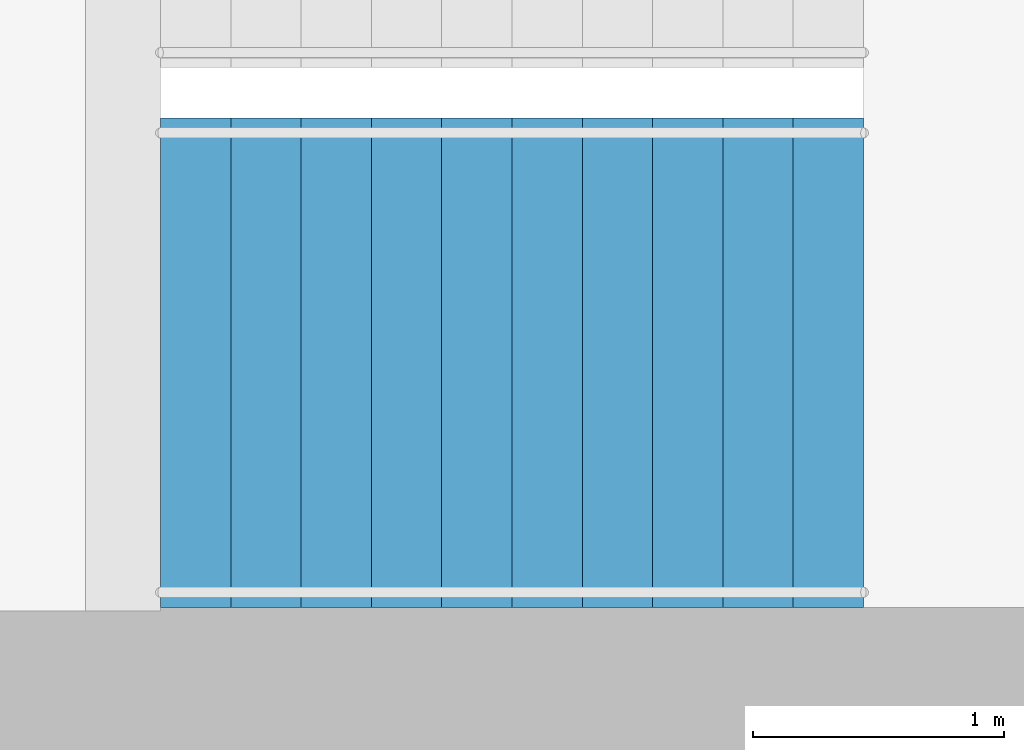
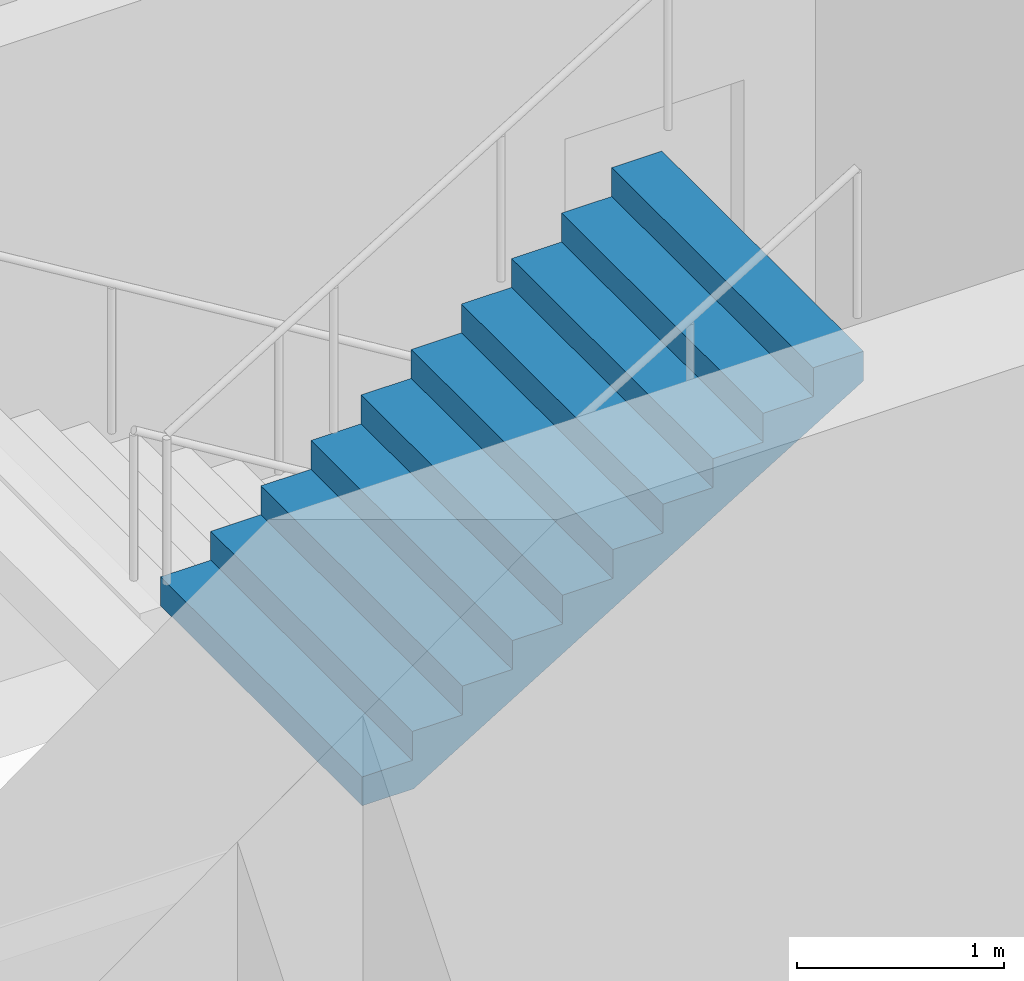
# One storey, part 24 of 27: 1 stair flight, 1 element without a shape of its own.
"""IFC4 building model written with IfcOpenShell, lengths in metres."""

from ifc_helpers import new_model, si_unit, direction, frame, origin, place, context, subcontext, project, spatial, triangles, material, type_object, element, aggregate, save


model = new_model("IFC4")

# Units and contexts
model_context = context("Model", 3, precision=1e-05, world=origin(), true_north=direction((0.0, 1.0)))
body_context = subcontext(model_context, "Body", "Model", "MODEL_VIEW")
ifc_project = project(units=[si_unit("LENGTHUNIT", "METRE"), si_unit("AREAUNIT", "SQUARE_METRE"), si_unit("VOLUMEUNIT", "CUBIC_METRE"), si_unit("PLANEANGLEUNIT", "RADIAN"), si_unit("MASSUNIT", "GRAM", prefix="KILO")], contexts=[model_context])

# Site, building, storey
site_placement = place(None, origin())
site = spatial("IfcSite", under=ifc_project, at=site_placement, CompositionType="ELEMENT")
building_placement = place(site_placement, origin())
building = spatial("IfcBuilding", under=site, at=building_placement, Name="Orbita Commons", CompositionType="ELEMENT")
storey_placement = place(building_placement, frame((0.0, 0.0, 246.550048828125)))
storey = spatial("IfcBuildingStorey", under=building, at=storey_placement, Name="L61", CompositionType="ELEMENT", Elevation=246.550048828125)

# Stair, stair flight
ifc_material_1 = material(Name="Precast concrete C40/50", Category="concrete")
stair_type = type_object("IfcStairType", Name="Exit stair S2 2 flights 11 risers 170", PredefinedType="HALF_TURN_STAIR", material=ifc_material_1)
stair_placement = place(storey_placement, origin())
stair = element("IfcStair", 1, at=stair_placement, inside=storey, type_object=stair_type, Name="Exit stair S2 L61", PredefinedType="HALF_TURN_STAIR")
ifc_material_2 = material(Name="Precast concrete C40/50", Category="concrete")
stair_flight_type = type_object("IfcStairFlightType", Name="Stair flight 11 risers 170 x 280", PredefinedType="STRAIGHT", material=ifc_material_2)
stair_flight_placement = place(storey_placement, frame((60.75, 27.125, 1.875), z_axis=(0.0, 0.0, 1.0), x_axis=(1.0, 0.0, 0.0)))
stair_flight = element("IfcStairFlight", 2, at=stair_flight_placement, type_object=stair_flight_type, Name="S2 flight 2", NumberOfRisers=11, NumberOfTreads=10, PredefinedType="STRAIGHT", RiserHeight=0.170454545, TreadLength=0.28, context=body_context, shape_type="Tessellation", body=[
    triangles([(0.0, 0.974976, 0.0), (0.0, 0.974976, 0.021307), (0.0, 0.81248, 0.021307), (0.0, 0.81248, 0.0), (0.0, 0.649984, 0.021307), (0.0, 0.649984, 0.0), (0.0, 0.487488, 0.021307), (0.0, 0.487488, 0.0), (0.0, 0.324992, 0.021307), (0.0, 0.324992, 0.0), (0.0, 0.162496, 0.021307), (0.0, 0.162496, 0.0), (0.0, 0.0, 0.021307), (0.0, 0.0, 0.0), (0.0, -0.162496, 0.021307), (0.0, -0.162496, 0.0), (0.0, -0.324992, 0.021307), (0.0, -0.324992, 0.0), (0.0, -0.487488, 0.021307), (0.0, -0.487488, 0.0), (0.0, -0.649984, 0.021307), (0.0, -0.649984, 0.0), (0.0, -0.81248, 0.021307), (0.0, -0.81248, 0.0), (0.0, -0.974976, 0.021307), (0.0, -0.974976, 0.0), (0.0, 0.974976, 0.042614), (0.0, 0.81248, 0.042614), (0.0, 0.649984, 0.042614), (0.0, 0.487488, 0.042614), (0.0, 0.324992, 0.042614), (0.0, 0.162496, 0.042614), (0.0, 0.0, 0.042614), (0.0, -0.162496, 0.042614), (0.0, -0.324992, 0.042614), (0.0, -0.487488, 0.042614), (0.0, -0.649984, 0.042614), (0.0, -0.81248, 0.042614), (0.0, -0.974976, 0.042614), (0.0, 0.974976, 0.06392), (0.0, 0.81248, 0.06392), (0.0, 0.649984, 0.06392), (0.0, 0.487488, 0.06392), (0.0, 0.324992, 0.06392), (0.0, 0.162496, 0.06392), (0.0, 0.0, 0.06392), (0.0, -0.162496, 0.06392), (0.0, -0.324992, 0.06392), (0.0, -0.487488, 0.06392), (0.0, -0.649984, 0.06392), (0.0, -0.81248, 0.06392), (0.0, -0.974976, 0.06392), (0.0, 0.974976, 0.085227), (0.0, 0.81248, 0.085227), (0.0, 0.649984, 0.085227), (0.0, 0.487488, 0.085227), (0.0, 0.324992, 0.085227), (0.0, 0.162496, 0.085227), (0.0, 0.0, 0.085227), (0.0, -0.162496, 0.085227), (0.0, -0.324992, 0.085227), (0.0, -0.487488, 0.085227), (0.0, -0.649984, 0.085227), (0.0, -0.81248, 0.085227), (0.0, -0.974976, 0.085227), (0.0, 0.974976, 0.106534), (0.0, 0.81248, 0.106534), (0.0, 0.649984, 0.106534), (0.0, 0.487488, 0.106534), (0.0, 0.324992, 0.106534), (0.0, 0.162496, 0.106534), (0.0, 0.0, 0.106534), (0.0, -0.162496, 0.106534), (0.0, -0.324992, 0.106534), (0.0, -0.487488, 0.106534), (0.0, -0.649984, 0.106534), (0.0, -0.81248, 0.106534), (0.0, -0.974976, 0.106534), (0.0, 0.974976, 0.127841), (0.0, 0.81248, 0.127841), (0.0, 0.649984, 0.127841), (0.0, 0.487488, 0.127841), (0.0, 0.324992, 0.127841), (0.0, 0.162496, 0.127841), (0.0, 0.0, 0.127841), (0.0, -0.162496, 0.127841), (0.0, -0.324992, 0.127841), (0.0, -0.487488, 0.127841), (0.0, -0.649984, 0.127841), (0.0, -0.81248, 0.127841), (0.0, -0.974976, 0.127841), (0.0, 0.974976, 0.149148), (0.0, 0.81248, 0.149148), (0.0, 0.649984, 0.149148), (0.0, 0.487488, 0.149148), (0.0, 0.324992, 0.149148), (0.0, 0.162496, 0.149148), (0.0, 0.0, 0.149148), (0.0, -0.162496, 0.149148), (0.0, -0.324992, 0.149148), (0.0, -0.487488, 0.149148), (0.0, -0.649984, 0.149148), (0.0, -0.81248, 0.149148), (0.0, -0.974976, 0.149148), (0.0, 0.974976, 0.170455), (0.0, 0.81248, 0.170455), (0.0, 0.649984, 0.170455), (0.0, 0.487488, 0.170455), (0.0, 0.324992, 0.170455), (0.0, 0.162496, 0.170455), (0.0, 0.0, 0.170455), (0.0, -0.162496, 0.170455), (0.0, -0.324992, 0.170455), (0.0, -0.487488, 0.170455), (0.0, -0.649984, 0.170455), (0.0, -0.81248, 0.170455), (0.0, -0.974976, 0.170455), (0.28, 0.974976, 0.170455), (0.28, 0.81248, 0.170455), (0.28, 0.649984, 0.170455), (0.28, 0.487488, 0.170455), (0.28, 0.324992, 0.170455), (0.28, 0.162496, 0.170455), (0.28, 0.0, 0.170455), (0.28, -0.162496, 0.170455), (0.28, -0.324992, 0.170455), (0.28, -0.487488, 0.170455), (0.28, -0.649984, 0.170455), (0.28, -0.81248, 0.170455), (0.28, -0.974976, 0.170455), (0.28, 0.974976, 0.340909), (0.28, 0.81248, 0.340909), (0.28, 0.649984, 0.340909), (0.28, 0.487488, 0.340909), (0.28, 0.324992, 0.340909), (0.28, 0.162496, 0.340909), (0.28, 0.0, 0.340909), (0.28, -0.162496, 0.340909), (0.28, -0.324992, 0.340909), (0.28, -0.487488, 0.340909), (0.28, -0.649984, 0.340909), (0.28, -0.81248, 0.340909), (0.28, -0.974976, 0.340909), (0.56, 0.974976, 0.340909), (0.56, 0.81248, 0.340909), (0.56, 0.649984, 0.340909), (0.56, 0.487488, 0.340909), (0.56, 0.324992, 0.340909), (0.56, 0.162496, 0.340909), (0.56, 0.0, 0.340909), (0.56, -0.162496, 0.340909), (0.56, -0.324992, 0.340909), (0.56, -0.487488, 0.340909), (0.56, -0.649984, 0.340909), (0.56, -0.81248, 0.340909), (0.56, -0.974976, 0.340909), (0.56, 0.974976, 0.511364), (0.56, 0.81248, 0.511364), (0.56, 0.649984, 0.511364), (0.56, 0.487488, 0.511364), (0.56, 0.324992, 0.511364), (0.56, 0.162496, 0.511364), (0.56, 0.0, 0.511364), (0.56, -0.162496, 0.511364), (0.56, -0.324992, 0.511364), (0.56, -0.487488, 0.511364), (0.56, -0.649984, 0.511364), (0.56, -0.81248, 0.511364), (0.56, -0.974976, 0.511364), (0.84, 0.974976, 0.511364), (0.84, 0.81248, 0.511364), (0.84, 0.649984, 0.511364), (0.84, 0.487488, 0.511364), (0.84, 0.324992, 0.511364), (0.84, 0.162496, 0.511364), (0.84, 0.0, 0.511364), (0.84, -0.162496, 0.511364), (0.84, -0.324992, 0.511364), (0.84, -0.487488, 0.511364), (0.84, -0.649984, 0.511364), (0.84, -0.81248, 0.511364), (0.84, -0.974976, 0.511364), (0.84, 0.974976, 0.681818), (0.84, 0.81248, 0.681818), (0.84, 0.649984, 0.681818), (0.84, 0.487488, 0.681818), (0.84, 0.324992, 0.681818), (0.84, 0.162496, 0.681818), (0.84, 0.0, 0.681818), (0.84, -0.162496, 0.681818), (0.84, -0.324992, 0.681818), (0.84, -0.487488, 0.681818), (0.84, -0.649984, 0.681818), (0.84, -0.81248, 0.681818), (0.84, -0.974976, 0.681818), (1.12, 0.974976, 0.681818), (1.12, 0.81248, 0.681818), (1.12, 0.649984, 0.681818), (1.12, 0.487488, 0.681818), (1.12, 0.324992, 0.681818), (1.12, 0.162496, 0.681818), (1.12, 0.0, 0.681818), (1.12, -0.162496, 0.681818), (1.12, -0.324992, 0.681818), (1.12, -0.487488, 0.681818), (1.12, -0.649984, 0.681818), (1.12, -0.81248, 0.681818), (1.12, -0.974976, 0.681818), (1.12, 0.974976, 0.852273), (1.12, 0.81248, 0.852273), (1.12, 0.649984, 0.852273), (1.12, 0.487488, 0.852273), (1.12, 0.324992, 0.852273), (1.12, 0.162496, 0.852273), (1.12, 0.0, 0.852273), (1.12, -0.162496, 0.852273), (1.12, -0.324992, 0.852273), (1.12, -0.487488, 0.852273), (1.12, -0.649984, 0.852273), (1.12, -0.81248, 0.852273), (1.12, -0.974976, 0.852273), (1.4, 0.974976, 0.852273), (1.4, 0.81248, 0.852273), (1.4, 0.649984, 0.852273), (1.4, 0.487488, 0.852273), (1.4, 0.324992, 0.852273), (1.4, 0.162496, 0.852273), (1.4, 0.0, 0.852273), (1.4, -0.162496, 0.852273), (1.4, -0.324992, 0.852273), (1.4, -0.487488, 0.852273), (1.4, -0.649984, 0.852273), (1.4, -0.81248, 0.852273), (1.4, -0.974976, 0.852273), (1.4, 0.974976, 1.022727), (1.4, 0.81248, 1.022727), (1.4, 0.649984, 1.022727), (1.4, 0.487488, 1.022727), (1.4, 0.324992, 1.022727), (1.4, 0.162496, 1.022727), (1.4, 0.0, 1.022727), (1.4, -0.162496, 1.022727), (1.4, -0.324992, 1.022727), (1.4, -0.487488, 1.022727), (1.4, -0.649984, 1.022727), (1.4, -0.81248, 1.022727), (1.4, -0.974976, 1.022727), (1.68, 0.974976, 1.022727), (1.68, 0.81248, 1.022727), (1.68, 0.649984, 1.022727), (1.68, 0.487488, 1.022727), (1.68, 0.324992, 1.022727), (1.68, 0.162496, 1.022727), (1.68, 0.0, 1.022727), (1.68, -0.162496, 1.022727), (1.68, -0.324992, 1.022727), (1.68, -0.487488, 1.022727), (1.68, -0.649984, 1.022727), (1.68, -0.81248, 1.022727), (1.68, -0.974976, 1.022727), (1.68, 0.974976, 1.193182), (1.68, 0.81248, 1.193182), (1.68, 0.649984, 1.193182), (1.68, 0.487488, 1.193182), (1.68, 0.324992, 1.193182), (1.68, 0.162496, 1.193182), (1.68, 0.0, 1.193182), (1.68, -0.162496, 1.193182), (1.68, -0.324992, 1.193182), (1.68, -0.487488, 1.193182), (1.68, -0.649984, 1.193182), (1.68, -0.81248, 1.193182), (1.68, -0.974976, 1.193182), (1.96, 0.974976, 1.193182), (1.96, 0.81248, 1.193182), (1.96, 0.649984, 1.193182), (1.96, 0.487488, 1.193182), (1.96, 0.324992, 1.193182), (1.96, 0.162496, 1.193182), (1.96, 0.0, 1.193182), (1.96, -0.162496, 1.193182), (1.96, -0.324992, 1.193182), (1.96, -0.487488, 1.193182), (1.96, -0.649984, 1.193182), (1.96, -0.81248, 1.193182), (1.96, -0.974976, 1.193182), (1.96, 0.974976, 1.363636), (1.96, 0.81248, 1.363636), (1.96, 0.649984, 1.363636), (1.96, 0.487488, 1.363636), (1.96, 0.324992, 1.363636), (1.96, 0.162496, 1.363636), (1.96, 0.0, 1.363636), (1.96, -0.162496, 1.363636), (1.96, -0.324992, 1.363636), (1.96, -0.487488, 1.363636), (1.96, -0.649984, 1.363636), (1.96, -0.81248, 1.363636), (1.96, -0.974976, 1.363636), (2.24, 0.974976, 1.363636), (2.24, 0.81248, 1.363636), (2.24, 0.649984, 1.363636), (2.24, 0.487488, 1.363636), (2.24, 0.324992, 1.363636), (2.24, 0.162496, 1.363636), (2.24, 0.0, 1.363636), (2.24, -0.162496, 1.363636), (2.24, -0.324992, 1.363636), (2.24, -0.487488, 1.363636), (2.24, -0.649984, 1.363636), (2.24, -0.81248, 1.363636), (2.24, -0.974976, 1.363636), (2.24, 0.974976, 1.534091), (2.24, 0.81248, 1.534091), (2.24, 0.649984, 1.534091), (2.24, 0.487488, 1.534091), (2.24, 0.324992, 1.534091), (2.24, 0.162496, 1.534091), (2.24, 0.0, 1.534091), (2.24, -0.162496, 1.534091), (2.24, -0.324992, 1.534091), (2.24, -0.487488, 1.534091), (2.24, -0.649984, 1.534091), (2.24, -0.81248, 1.534091), (2.24, -0.974976, 1.534091), (2.52, 0.974976, 1.534091), (2.52, 0.81248, 1.534091), (2.52, 0.649984, 1.534091), (2.52, 0.487488, 1.534091), (2.52, 0.324992, 1.534091), (2.52, 0.162496, 1.534091), (2.52, 0.0, 1.534091), (2.52, -0.162496, 1.534091), (2.52, -0.324992, 1.534091), (2.52, -0.487488, 1.534091), (2.52, -0.649984, 1.534091), (2.52, -0.81248, 1.534091), (2.52, -0.974976, 1.534091), (2.52, 0.974976, 1.704545), (2.52, 0.81248, 1.704545), (2.52, 0.649984, 1.704545), (2.52, 0.487488, 1.704545), (2.52, 0.324992, 1.704545), (2.52, 0.162496, 1.704545), (2.52, 0.0, 1.704545), (2.52, -0.162496, 1.704545), (2.52, -0.324992, 1.704545), (2.52, -0.487488, 1.704545), (2.52, -0.649984, 1.704545), (2.52, -0.81248, 1.704545), (2.52, -0.974976, 1.704545), (2.8, 0.974976, 1.704545), (2.8, 0.81248, 1.704545), (2.8, 0.649984, 1.704545), (2.8, 0.487488, 1.704545), (2.8, 0.324992, 1.704545), (2.8, 0.162496, 1.704545), (2.8, 0.0, 1.704545), (2.8, -0.162496, 1.704545), (2.8, -0.324992, 1.704545), (2.8, -0.487488, 1.704545), (2.8, -0.649984, 1.704545), (2.8, -0.81248, 1.704545), (2.8, -0.974976, 1.704545), (2.8, 0.974976, 1.682609), (2.8, 0.81248, 1.682609), (2.8, 0.649984, 1.682609), (2.8, 0.487488, 1.682609), (2.8, 0.324992, 1.682609), (2.8, 0.162496, 1.682609), (2.8, 0.0, 1.682609), (2.8, -0.162496, 1.682609), (2.8, -0.324992, 1.682609), (2.8, -0.487488, 1.682609), (2.8, -0.649984, 1.682609), (2.8, -0.81248, 1.682609), (2.8, -0.974976, 1.682609), (2.8, 0.974976, 1.660672), (2.8, 0.81248, 1.660672), (2.8, 0.649984, 1.660672), (2.8, 0.487488, 1.660672), (2.8, 0.324992, 1.660672), (2.8, 0.162496, 1.660672), (2.8, 0.0, 1.660672), (2.8, -0.162496, 1.660672), (2.8, -0.324992, 1.660672), (2.8, -0.487488, 1.660672), (2.8, -0.649984, 1.660672), (2.8, -0.81248, 1.660672), (2.8, -0.974976, 1.660672), (2.8, 0.974976, 1.638735), (2.8, 0.81248, 1.638735), (2.8, 0.649984, 1.638735), (2.8, 0.487488, 1.638735), (2.8, 0.324992, 1.638735), (2.8, 0.162496, 1.638735), (2.8, 0.0, 1.638735), (2.8, -0.162496, 1.638735), (2.8, -0.324992, 1.638735), (2.8, -0.487488, 1.638735), (2.8, -0.649984, 1.638735), (2.8, -0.81248, 1.638735), (2.8, -0.974976, 1.638735), (2.8, 0.974976, 1.616798), (2.8, 0.81248, 1.616798), (2.8, 0.649984, 1.616798), (2.8, 0.487488, 1.616798), (2.8, 0.324992, 1.616798), (2.8, 0.162496, 1.616798), (2.8, 0.0, 1.616798), (2.8, -0.162496, 1.616798), (2.8, -0.324992, 1.616798), (2.8, -0.487488, 1.616798), (2.8, -0.649984, 1.616798), (2.8, -0.81248, 1.616798), (2.8, -0.974976, 1.616798), (2.8, 0.974976, 1.594861), (2.8, 0.81248, 1.594861), (2.8, 0.649984, 1.594861), (2.8, 0.487488, 1.594861), (2.8, 0.324992, 1.594861), (2.8, 0.162496, 1.594861), (2.8, 0.0, 1.594861), (2.8, -0.162496, 1.594861), (2.8, -0.324992, 1.594861), (2.8, -0.487488, 1.594861), (2.8, -0.649984, 1.594861), (2.8, -0.81248, 1.594861), (2.8, -0.974976, 1.594861), (2.8, 0.974976, 1.572925), (2.8, 0.81248, 1.572925), (2.8, 0.649984, 1.572925), (2.8, 0.487488, 1.572925), (2.8, 0.324992, 1.572925), (2.8, 0.162496, 1.572925), (2.8, 0.0, 1.572925), (2.8, -0.162496, 1.572925), (2.8, -0.324992, 1.572925), (2.8, -0.487488, 1.572925), (2.8, -0.649984, 1.572925), (2.8, -0.81248, 1.572925), (2.8, -0.974976, 1.572925), (2.8, 0.974976, 1.550988), (2.8, 0.81248, 1.550988), (2.8, 0.649984, 1.550988), (2.8, 0.487488, 1.550988), (2.8, 0.324992, 1.550988), (2.8, 0.162496, 1.550988), (2.8, 0.0, 1.550988), (2.8, -0.162496, 1.550988), (2.8, -0.324992, 1.550988), (2.8, -0.487488, 1.550988), (2.8, -0.649984, 1.550988), (2.8, -0.81248, 1.550988), (2.8, -0.974976, 1.550988), (2.8, 0.974976, 1.529051), (2.8, 0.81248, 1.529051), (2.8, 0.649984, 1.529051), (2.8, 0.487488, 1.529051), (2.8, 0.324992, 1.529051), (2.8, 0.162496, 1.529051), (2.8, 0.0, 1.529051), (2.8, -0.162496, 1.529051), (2.8, -0.324992, 1.529051), (2.8, -0.487488, 1.529051), (2.8, -0.649984, 1.529051), (2.8, -0.81248, 1.529051), (2.8, -0.974976, 1.529051), (0.288279, 0.974976, 0.0), (0.288279, 0.81248, 0.0), (0.288279, 0.649984, 0.0), (0.288279, 0.487488, 0.0), (0.288279, 0.324992, 0.0), (0.288279, 0.162496, 0.0), (0.288279, 0.0, 0.0), (0.288279, -0.162496, 0.0), (0.288279, -0.324992, 0.0), (0.288279, -0.487488, 0.0), (0.288279, -0.649984, 0.0), (0.288279, -0.81248, 0.0), (0.288279, -0.974976, 0.0)], [[3, 2, 1], [4, 3, 1], [5, 3, 4], [6, 5, 4], [7, 5, 6], [8, 7, 6], [9, 7, 8], [10, 9, 8], [11, 9, 10], [12, 11, 10], [13, 11, 12], [14, 13, 12], [15, 13, 14], [16, 15, 14], [17, 15, 16], [18, 17, 16], [19, 17, 18], [20, 19, 18], [21, 19, 20], [22, 21, 20], [23, 21, 22], [24, 23, 22], [25, 23, 24], [26, 25, 24], [28, 27, 2], [3, 28, 2], [29, 28, 3], [5, 29, 3], [30, 29, 5], [7, 30, 5], [31, 30, 7], [9, 31, 7], [32, 31, 9], [11, 32, 9], [33, 32, 11], [13, 33, 11], [34, 33, 13], [15, 34, 13], [35, 34, 15], [17, 35, 15], [36, 35, 17], [19, 36, 17], [37, 36, 19], [21, 37, 19], [38, 37, 21], [23, 38, 21], [39, 38, 23], [25, 39, 23], [41, 40, 27], [28, 41, 27], [42, 41, 28], [29, 42, 28], [43, 42, 29], [30, 43, 29], [44, 43, 30], [31, 44, 30], [45, 44, 31], [32, 45, 31], [46, 45, 32], [33, 46, 32], [47, 46, 33], [34, 47, 33], [48, 47, 34], [35, 48, 34], [49, 48, 35], [36, 49, 35], [50, 49, 36], [37, 50, 36], [51, 50, 37], [38, 51, 37], [52, 51, 38], [39, 52, 38], [54, 53, 40], [41, 54, 40], [55, 54, 41], [42, 55, 41], [56, 55, 42], [43, 56, 42], [57, 56, 43], [44, 57, 43], [58, 57, 44], [45, 58, 44], [59, 58, 45], [46, 59, 45], [60, 59, 46], [47, 60, 46], [61, 60, 47], [48, 61, 47], [62, 61, 48], [49, 62, 48], [63, 62, 49], [50, 63, 49], [64, 63, 50], [51, 64, 50], [65, 64, 51], [52, 65, 51], [67, 66, 53], [54, 67, 53], [68, 67, 54], [55, 68, 54], [69, 68, 55], [56, 69, 55], [70, 69, 56], [57, 70, 56], [71, 70, 57], [58, 71, 57], [72, 71, 58], [59, 72, 58], [73, 72, 59], [60, 73, 59], [74, 73, 60], [61, 74, 60], [75, 74, 61], [62, 75, 61], [76, 75, 62], [63, 76, 62], [77, 76, 63], [64, 77, 63], [78, 77, 64], [65, 78, 64], [80, 79, 66], [67, 80, 66], [81, 80, 67], [68, 81, 67], [82, 81, 68], [69, 82, 68], [83, 82, 69], [70, 83, 69], [84, 83, 70], [71, 84, 70], [85, 84, 71], [72, 85, 71], [86, 85, 72], [73, 86, 72], [87, 86, 73], [74, 87, 73], [88, 87, 74], [75, 88, 74], [89, 88, 75], [76, 89, 75], [90, 89, 76], [77, 90, 76], [91, 90, 77], [78, 91, 77], [93, 92, 79], [80, 93, 79], [94, 93, 80], [81, 94, 80], [95, 94, 81], [82, 95, 81], [96, 95, 82], [83, 96, 82], [97, 96, 83], [84, 97, 83], [98, 97, 84], [85, 98, 84], [99, 98, 85], [86, 99, 85], [100, 99, 86], [87, 100, 86], [101, 100, 87], [88, 101, 87], [102, 101, 88], [89, 102, 88], [103, 102, 89], [90, 103, 89], [104, 103, 90], [91, 104, 90], [106, 105, 92], [93, 106, 92], [107, 106, 93], [94, 107, 93], [108, 107, 94], [95, 108, 94], [109, 108, 95], [96, 109, 95], [110, 109, 96], [97, 110, 96], [111, 110, 97], [98, 111, 97], [112, 111, 98], [99, 112, 98], [113, 112, 99], [100, 113, 99], [114, 113, 100], [101, 114, 100], [115, 114, 101], [102, 115, 101], [116, 115, 102], [103, 116, 102], [117, 116, 103], [104, 117, 103], [119, 118, 105], [106, 119, 105], [120, 119, 106], [107, 120, 106], [121, 120, 107], [108, 121, 107], [122, 121, 108], [109, 122, 108], [123, 122, 109], [110, 123, 109], [124, 123, 110], [111, 124, 110], [125, 124, 111], [112, 125, 111], [126, 125, 112], [113, 126, 112], [127, 126, 113], [114, 127, 113], [128, 127, 114], [115, 128, 114], [129, 128, 115], [116, 129, 115], [130, 129, 116], [117, 130, 116], [132, 131, 118], [119, 132, 118], [133, 132, 119], [120, 133, 119], [134, 133, 120], [121, 134, 120], [135, 134, 121], [122, 135, 121], [136, 135, 122], [123, 136, 122], [137, 136, 123], [124, 137, 123], [138, 137, 124], [125, 138, 124], [139, 138, 125], [126, 139, 125], [140, 139, 126], [127, 140, 126], [141, 140, 127], [128, 141, 127], [142, 141, 128], [129, 142, 128], [143, 142, 129], [130, 143, 129], [145, 144, 131], [132, 145, 131], [146, 145, 132], [133, 146, 132], [147, 146, 133], [134, 147, 133], [148, 147, 134], [135, 148, 134], [149, 148, 135], [136, 149, 135], [150, 149, 136], [137, 150, 136], [151, 150, 137], [138, 151, 137], [152, 151, 138], [139, 152, 138], [153, 152, 139], [140, 153, 139], [154, 153, 140], [141, 154, 140], [155, 154, 141], [142, 155, 141], [156, 155, 142], [143, 156, 142], [158, 157, 144], [145, 158, 144], [159, 158, 145], [146, 159, 145], [160, 159, 146], [147, 160, 146], [161, 160, 147], [148, 161, 147], [162, 161, 148], [149, 162, 148], [163, 162, 149], [150, 163, 149], [164, 163, 150], [151, 164, 150], [165, 164, 151], [152, 165, 151], [166, 165, 152], [153, 166, 152], [167, 166, 153], [154, 167, 153], [168, 167, 154], [155, 168, 154], [169, 168, 155], [156, 169, 155], [171, 170, 157], [158, 171, 157], [172, 171, 158], [159, 172, 158], [173, 172, 159], [160, 173, 159], [174, 173, 160], [161, 174, 160], [175, 174, 161], [162, 175, 161], [176, 175, 162], [163, 176, 162], [177, 176, 163], [164, 177, 163], [178, 177, 164], [165, 178, 164], [179, 178, 165], [166, 179, 165], [180, 179, 166], [167, 180, 166], [181, 180, 167], [168, 181, 167], [182, 181, 168], [169, 182, 168], [184, 183, 170], [171, 184, 170], [185, 184, 171], [172, 185, 171], [186, 185, 172], [173, 186, 172], [187, 186, 173], [174, 187, 173], [188, 187, 174], [175, 188, 174], [189, 188, 175], [176, 189, 175], [190, 189, 176], [177, 190, 176], [191, 190, 177], [178, 191, 177], [192, 191, 178], [179, 192, 178], [193, 192, 179], [180, 193, 179], [194, 193, 180], [181, 194, 180], [195, 194, 181], [182, 195, 181], [197, 196, 183], [184, 197, 183], [198, 197, 184], [185, 198, 184], [199, 198, 185], [186, 199, 185], [200, 199, 186], [187, 200, 186], [201, 200, 187], [188, 201, 187], [202, 201, 188], [189, 202, 188], [203, 202, 189], [190, 203, 189], [204, 203, 190], [191, 204, 190], [205, 204, 191], [192, 205, 191], [206, 205, 192], [193, 206, 192], [207, 206, 193], [194, 207, 193], [208, 207, 194], [195, 208, 194], [210, 209, 196], [197, 210, 196], [211, 210, 197], [198, 211, 197], [212, 211, 198], [199, 212, 198], [213, 212, 199], [200, 213, 199], [214, 213, 200], [201, 214, 200], [215, 214, 201], [202, 215, 201], [216, 215, 202], [203, 216, 202], [217, 216, 203], [204, 217, 203], [218, 217, 204], [205, 218, 204], [219, 218, 205], [206, 219, 205], [220, 219, 206], [207, 220, 206], [221, 220, 207], [208, 221, 207], [223, 222, 209], [210, 223, 209], [224, 223, 210], [211, 224, 210], [225, 224, 211], [212, 225, 211], [226, 225, 212], [213, 226, 212], [227, 226, 213], [214, 227, 213], [228, 227, 214], [215, 228, 214], [229, 228, 215], [216, 229, 215], [230, 229, 216], [217, 230, 216], [231, 230, 217], [218, 231, 217], [232, 231, 218], [219, 232, 218], [233, 232, 219], [220, 233, 219], [234, 233, 220], [221, 234, 220], [236, 235, 222], [223, 236, 222], [237, 236, 223], [224, 237, 223], [238, 237, 224], [225, 238, 224], [239, 238, 225], [226, 239, 225], [240, 239, 226], [227, 240, 226], [241, 240, 227], [228, 241, 227], [242, 241, 228], [229, 242, 228], [243, 242, 229], [230, 243, 229], [244, 243, 230], [231, 244, 230], [245, 244, 231], [232, 245, 231], [246, 245, 232], [233, 246, 232], [247, 246, 233], [234, 247, 233], [249, 248, 235], [236, 249, 235], [250, 249, 236], [237, 250, 236], [251, 250, 237], [238, 251, 237], [252, 251, 238], [239, 252, 238], [253, 252, 239], [240, 253, 239], [254, 253, 240], [241, 254, 240], [255, 254, 241], [242, 255, 241], [256, 255, 242], [243, 256, 242], [257, 256, 243], [244, 257, 243], [258, 257, 244], [245, 258, 244], [259, 258, 245], [246, 259, 245], [260, 259, 246], [247, 260, 246], [262, 261, 248], [249, 262, 248], [263, 262, 249], [250, 263, 249], [264, 263, 250], [251, 264, 250], [265, 264, 251], [252, 265, 251], [266, 265, 252], [253, 266, 252], [267, 266, 253], [254, 267, 253], [268, 267, 254], [255, 268, 254], [269, 268, 255], [256, 269, 255], [270, 269, 256], [257, 270, 256], [271, 270, 257], [258, 271, 257], [272, 271, 258], [259, 272, 258], [273, 272, 259], [260, 273, 259], [275, 274, 261], [262, 275, 261], [276, 275, 262], [263, 276, 262], [277, 276, 263], [264, 277, 263], [278, 277, 264], [265, 278, 264], [279, 278, 265], [266, 279, 265], [280, 279, 266], [267, 280, 266], [281, 280, 267], [268, 281, 267], [282, 281, 268], [269, 282, 268], [283, 282, 269], [270, 283, 269], [284, 283, 270], [271, 284, 270], [285, 284, 271], [272, 285, 271], [286, 285, 272], [273, 286, 272], [288, 287, 274], [275, 288, 274], [289, 288, 275], [276, 289, 275], [290, 289, 276], [277, 290, 276], [291, 290, 277], [278, 291, 277], [292, 291, 278], [279, 292, 278], [293, 292, 279], [280, 293, 279], [294, 293, 280], [281, 294, 280], [295, 294, 281], [282, 295, 281], [296, 295, 282], [283, 296, 282], [297, 296, 283], [284, 297, 283], [298, 297, 284], [285, 298, 284], [299, 298, 285], [286, 299, 285], [301, 300, 287], [288, 301, 287], [302, 301, 288], [289, 302, 288], [303, 302, 289], [290, 303, 289], [304, 303, 290], [291, 304, 290], [305, 304, 291], [292, 305, 291], [306, 305, 292], [293, 306, 292], [307, 306, 293], [294, 307, 293], [308, 307, 294], [295, 308, 294], [309, 308, 295], [296, 309, 295], [310, 309, 296], [297, 310, 296], [311, 310, 297], [298, 311, 297], [312, 311, 298], [299, 312, 298], [314, 313, 300], [301, 314, 300], [315, 314, 301], [302, 315, 301], [316, 315, 302], [303, 316, 302], [317, 316, 303], [304, 317, 303], [318, 317, 304], [305, 318, 304], [319, 318, 305], [306, 319, 305], [320, 319, 306], [307, 320, 306], [321, 320, 307], [308, 321, 307], [322, 321, 308], [309, 322, 308], [323, 322, 309], [310, 323, 309], [324, 323, 310], [311, 324, 310], [325, 324, 311], [312, 325, 311], [327, 326, 313], [314, 327, 313], [328, 327, 314], [315, 328, 314], [329, 328, 315], [316, 329, 315], [330, 329, 316], [317, 330, 316], [331, 330, 317], [318, 331, 317], [332, 331, 318], [319, 332, 318], [333, 332, 319], [320, 333, 319], [334, 333, 320], [321, 334, 320], [335, 334, 321], [322, 335, 321], [336, 335, 322], [323, 336, 322], [337, 336, 323], [324, 337, 323], [338, 337, 324], [325, 338, 324], [340, 339, 326], [327, 340, 326], [341, 340, 327], [328, 341, 327], [342, 341, 328], [329, 342, 328], [343, 342, 329], [330, 343, 329], [344, 343, 330], [331, 344, 330], [345, 344, 331], [332, 345, 331], [346, 345, 332], [333, 346, 332], [347, 346, 333], [334, 347, 333], [348, 347, 334], [335, 348, 334], [349, 348, 335], [336, 349, 335], [350, 349, 336], [337, 350, 336], [351, 350, 337], [338, 351, 337], [353, 352, 339], [340, 353, 339], [354, 353, 340], [341, 354, 340], [355, 354, 341], [342, 355, 341], [356, 355, 342], [343, 356, 342], [357, 356, 343], [344, 357, 343], [358, 357, 344], [345, 358, 344], [359, 358, 345], [346, 359, 345], [360, 359, 346], [347, 360, 346], [361, 360, 347], [348, 361, 347], [362, 361, 348], [349, 362, 348], [363, 362, 349], [350, 363, 349], [364, 363, 350], [351, 364, 350], [366, 365, 352], [353, 366, 352], [367, 366, 353], [354, 367, 353], [368, 367, 354], [355, 368, 354], [369, 368, 355], [356, 369, 355], [370, 369, 356], [357, 370, 356], [371, 370, 357], [358, 371, 357], [372, 371, 358], [359, 372, 358], [373, 372, 359], [360, 373, 359], [374, 373, 360], [361, 374, 360], [375, 374, 361], [362, 375, 361], [376, 375, 362], [363, 376, 362], [377, 376, 363], [364, 377, 363], [379, 378, 365], [366, 379, 365], [380, 379, 366], [367, 380, 366], [381, 380, 367], [368, 381, 367], [382, 381, 368], [369, 382, 368], [383, 382, 369], [370, 383, 369], [384, 383, 370], [371, 384, 370], [385, 384, 371], [372, 385, 371], [386, 385, 372], [373, 386, 372], [387, 386, 373], [374, 387, 373], [388, 387, 374], [375, 388, 374], [389, 388, 375], [376, 389, 375], [390, 389, 376], [377, 390, 376], [392, 391, 378], [379, 392, 378], [393, 392, 379], [380, 393, 379], [394, 393, 380], [381, 394, 380], [395, 394, 381], [382, 395, 381], [396, 395, 382], [383, 396, 382], [397, 396, 383], [384, 397, 383], [398, 397, 384], [385, 398, 384], [399, 398, 385], [386, 399, 385], [400, 399, 386], [387, 400, 386], [401, 400, 387], [388, 401, 387], [402, 401, 388], [389, 402, 388], [403, 402, 389], [390, 403, 389], [405, 404, 391], [392, 405, 391], [406, 405, 392], [393, 406, 392], [407, 406, 393], [394, 407, 393], [408, 407, 394], [395, 408, 394], [409, 408, 395], [396, 409, 395], [410, 409, 396], [397, 410, 396], [411, 410, 397], [398, 411, 397], [412, 411, 398], [399, 412, 398], [413, 412, 399], [400, 413, 399], [414, 413, 400], [401, 414, 400], [415, 414, 401], [402, 415, 401], [416, 415, 402], [403, 416, 402], [418, 417, 404], [405, 418, 404], [419, 418, 405], [406, 419, 405], [420, 419, 406], [407, 420, 406], [421, 420, 407], [408, 421, 407], [422, 421, 408], [409, 422, 408], [423, 422, 409], [410, 423, 409], [424, 423, 410], [411, 424, 410], [425, 424, 411], [412, 425, 411], [426, 425, 412], [413, 426, 412], [427, 426, 413], [414, 427, 413], [428, 427, 414], [415, 428, 414], [429, 428, 415], [416, 429, 415], [431, 430, 417], [418, 431, 417], [432, 431, 418], [419, 432, 418], [433, 432, 419], [420, 433, 419], [434, 433, 420], [421, 434, 420], [435, 434, 421], [422, 435, 421], [436, 435, 422], [423, 436, 422], [437, 436, 423], [424, 437, 423], [438, 437, 424], [425, 438, 424], [439, 438, 425], [426, 439, 425], [440, 439, 426], [427, 440, 426], [441, 440, 427], [428, 441, 427], [442, 441, 428], [429, 442, 428], [444, 443, 430], [431, 444, 430], [445, 444, 431], [432, 445, 431], [446, 445, 432], [433, 446, 432], [447, 446, 433], [434, 447, 433], [448, 447, 434], [435, 448, 434], [449, 448, 435], [436, 449, 435], [450, 449, 436], [437, 450, 436], [451, 450, 437], [438, 451, 437], [452, 451, 438], [439, 452, 438], [453, 452, 439], [440, 453, 439], [454, 453, 440], [441, 454, 440], [455, 454, 441], [442, 455, 441], [457, 456, 443], [444, 457, 443], [458, 457, 444], [445, 458, 444], [459, 458, 445], [446, 459, 445], [460, 459, 446], [447, 460, 446], [461, 460, 447], [448, 461, 447], [462, 461, 448], [449, 462, 448], [463, 462, 449], [450, 463, 449], [464, 463, 450], [451, 464, 450], [465, 464, 451], [452, 465, 451], [466, 465, 452], [453, 466, 452], [467, 466, 453], [454, 467, 453], [468, 467, 454], [455, 468, 454], [470, 469, 456], [457, 470, 456], [471, 470, 457], [458, 471, 457], [472, 471, 458], [459, 472, 458], [473, 472, 459], [460, 473, 459], [474, 473, 460], [461, 474, 460], [475, 474, 461], [462, 475, 461], [476, 475, 462], [463, 476, 462], [477, 476, 463], [464, 477, 463], [478, 477, 464], [465, 478, 464], [479, 478, 465], [466, 479, 465], [480, 479, 466], [467, 480, 466], [481, 480, 467], [468, 481, 467], [4, 1, 469], [470, 4, 469], [6, 4, 470], [471, 6, 470], [8, 6, 471], [472, 8, 471], [10, 8, 472], [473, 10, 472], [12, 10, 473], [474, 12, 473], [14, 12, 474], [475, 14, 474], [16, 14, 475], [476, 16, 475], [18, 16, 476], [477, 18, 476], [20, 18, 477], [478, 20, 477], [22, 20, 478], [479, 22, 478], [24, 22, 479], [480, 24, 479], [26, 24, 480], [481, 26, 480], [456, 469, 1], [26, 481, 468], [443, 456, 1], [26, 468, 455], [430, 443, 1], [26, 455, 442], [417, 430, 1], [26, 442, 429], [404, 417, 1], [26, 429, 416], [391, 404, 1], [26, 416, 403], [378, 391, 1], [26, 403, 390], [365, 378, 1], [26, 390, 377], [339, 352, 365], [377, 364, 351], [326, 339, 365], [377, 351, 338], [300, 313, 326], [338, 325, 312], [300, 326, 365], [377, 338, 312], [274, 287, 300], [312, 299, 286], [274, 300, 365], [377, 312, 286], [248, 261, 274], [286, 273, 260], [248, 274, 365], [377, 286, 260], [222, 235, 248], [260, 247, 234], [222, 248, 365], [377, 260, 234], [196, 209, 222], [234, 221, 208], [196, 222, 365], [377, 234, 208], [170, 183, 196], [208, 195, 182], [170, 196, 365], [377, 208, 182], [144, 157, 170], [182, 169, 156], [144, 170, 365], [377, 182, 156], [118, 131, 144], [156, 143, 130], [118, 144, 365], [377, 156, 130], [118, 365, 1], [26, 377, 130], [92, 105, 118], [130, 117, 104], [79, 92, 118], [130, 104, 91], [66, 79, 118], [130, 91, 78], [53, 66, 118], [130, 78, 65], [40, 53, 118], [130, 65, 52], [27, 40, 118], [130, 52, 39], [2, 27, 118], [130, 39, 25], [1, 2, 118], [130, 25, 26]], closed=True),
])
aggregate(stair, [stair_flight])

save(model, "model.ifc")
